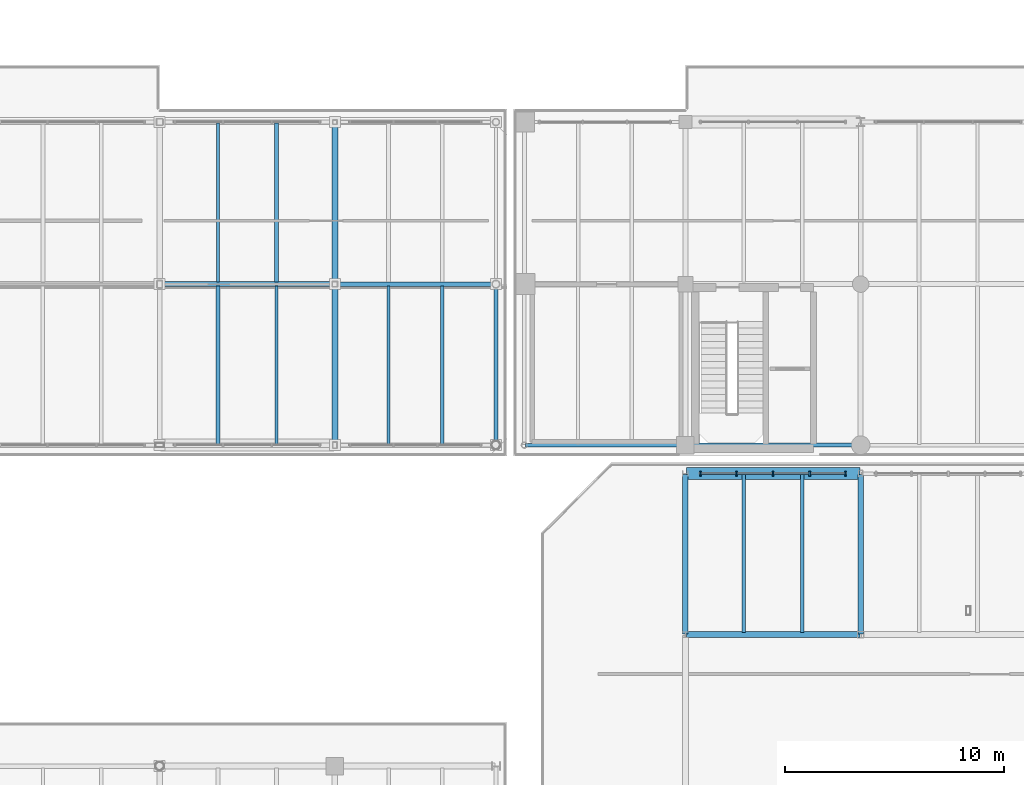
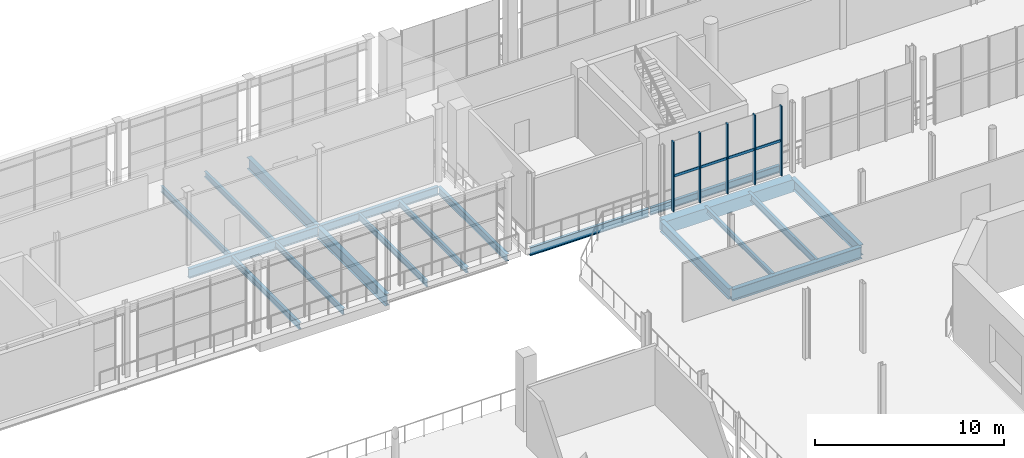
# One storey, part 45 of 93: 19 beams, 9 members, 1 element without a shape of its own.
"""IFC4 building model written with IfcOpenShell, lengths in metres."""

from ifc_helpers import new_model, si_unit, direction, frame, origin, origin_2d, place, context, subcontext, project, spatial, rectangle, i_section, extrude, material, material_profile, profile_set, type_object, element, aggregate, save


model = new_model("IFC4")

# Units and contexts
model_context = context("Model", 3, precision=1e-05, world=origin(), true_north=direction((0.0, 1.0)))
body_context = subcontext(model_context, "Body", "Model", "MODEL_VIEW")
ifc_project = project(units=[si_unit("LENGTHUNIT", "METRE"), si_unit("AREAUNIT", "SQUARE_METRE"), si_unit("VOLUMEUNIT", "CUBIC_METRE"), si_unit("PLANEANGLEUNIT", "RADIAN"), si_unit("MASSUNIT", "GRAM", prefix="KILO")], contexts=[model_context])

# Site, building, storey
site_placement = place(None, origin())
site = spatial("IfcSite", under=ifc_project, at=site_placement, CompositionType="ELEMENT")
building_placement = place(site_placement, origin())
building = spatial("IfcBuilding", under=site, at=building_placement, Name="Brisemont Oceanarium", CompositionType="ELEMENT")
storey_placement = place(building_placement, frame((0.0, 0.0, 5.39990234375)))
storey = spatial("IfcBuildingStorey", under=building, at=storey_placement, Name="L01", CompositionType="ELEMENT", Elevation=5.39990234375)

# Beams
ifc_material_1 = material(Name="Concrete C40/50", Category="concrete")
ifc_material_profile_1 = material_profile(ifc_material_1, rectangle(XDim=0.550048828125, YDim=0.800048828125, at=origin_2d()), Name="RC-BM-550X800")
ifc_profile_set_1 = profile_set([ifc_material_profile_1], Name="Concrete C40/50")
beam_type_1 = type_object("IfcBeamType", Name="BM-RC550X800", PredefinedType="SPANDREL", material=ifc_profile_set_1)
beam_1_placement = place(storey_placement, frame((64.0400390625, 79.35009765625, -0.739990234375), z_axis=(1.0, 0.0, 0.0), x_axis=(0.0, 1.0, 0.0)))
element("IfcBeam", 1, at=beam_1_placement, inside=storey, type_object=beam_type_1, Name="V1 L01 EW girder", PredefinedType="SPANDREL", context=body_context, shape_type="SweptSolid", body=[
    extrude(rectangle(XDim=0.550048828125, YDim=0.800048828125, at=origin_2d()), origin(), (0.0, 0.0, 1.0), 7.919921875),
])
ifc_material_2 = material(Name="Structural Steel ASTM A992 Gr.50", Category="steel")
ifc_material_profile_2 = material_profile(ifc_material_2, i_section(OverallWidth=0.1650390625, OverallDepth=0.31005859375, WebThickness=0.005859375, FlangeThickness=0.009765625, FilletRadius=0.008056640625, at=origin_2d()), Name="W12X26")
ifc_profile_set_2 = profile_set([ifc_material_profile_2], Name="Structural Steel ASTM A992 Gr.50")
beam_type_2 = type_object("IfcBeamType", Name="BM-W12X26", PredefinedType="JOIST", material=ifc_profile_set_2)
beam_2_placement = place(storey_placement, frame((66.666748046875, 72.090087890625, -0.494873046875), z_axis=(0.0, 1.0, 0.0), x_axis=(-1.0, 0.0, 0.0)))
element("IfcBeam", 2, at=beam_2_placement, inside=storey, type_object=beam_type_2, Name="V1 L01 secondary floor beam", PredefinedType="JOIST", context=body_context, shape_type="SweptSolid", body=[
    extrude(i_section(OverallWidth=0.1650390625, OverallDepth=0.31005859375, WebThickness=0.005859375, FlangeThickness=0.009765625, FilletRadius=0.008056640625, at=origin_2d()), origin(), (0.0, 0.0, 1.0), 7.219970703125),
])
ifc_material_3 = material(Name="Structural Steel ASTM A992 Gr.50", Category="steel")
ifc_material_profile_3 = material_profile(ifc_material_3, i_section(OverallWidth=0.1708984375, OverallDepth=0.35107421875, WebThickness=0.0068359375, FlangeThickness=0.009765625, FilletRadius=0.010009765625, at=origin_2d()), Name="W14X30")
ifc_profile_set_3 = profile_set([ifc_material_profile_3], Name="Structural Steel ASTM A992 Gr.50")
beam_type_3 = type_object("IfcBeamType", Name="BM-W14X30", PredefinedType="JOIST", material=ifc_profile_set_3)
beam_3_placement = place(storey_placement, frame((45.333251953125, 88.090087890625, -0.515380859375), z_axis=(0.0, 1.0, 0.0), x_axis=(-1.0, 0.0, 0.0)))
element("IfcBeam", 3, at=beam_3_placement, inside=storey, type_object=beam_type_3, Name="V7W L01 secondary floor beam", PredefinedType="JOIST", context=body_context, shape_type="SweptSolid", body=[
    extrude(i_section(OverallWidth=0.1708984375, OverallDepth=0.35107421875, WebThickness=0.0068359375, FlangeThickness=0.009765625, FilletRadius=0.010009765625, at=origin_2d()), origin(), (0.0, 0.0, 1.0), 7.27001953125),
])
beam_4_placement = place(storey_placement, frame((52.89990234375, 80.68994140625, -0.515380859375), z_axis=(0.0, 1.0, 0.0), x_axis=(-1.0, 0.0, 0.0)))
element("IfcBeam", 4, at=beam_4_placement, inside=storey, type_object=beam_type_3, Name="V7W L01 secondary floor beam", PredefinedType="JOIST", context=body_context, shape_type="SweptSolid", body=[
    extrude(i_section(OverallWidth=0.1708984375, OverallDepth=0.35107421875, WebThickness=0.0068359375, FlangeThickness=0.009765625, FilletRadius=0.010009765625, at=origin_2d()), origin(), (0.0, 0.0, 1.0), 7.219970703125),
])
ifc_material_4 = material(Name="Structural Steel ASTM A992 Gr.50", Category="steel")
ifc_material_profile_4 = material_profile(ifc_material_4, i_section(OverallWidth=0.139892578125, OverallDepth=0.39892578125, WebThickness=0.00634765625, FlangeThickness=0.0087890625, FilletRadius=0.010009765625, at=origin_2d()), Name="W16X26")
ifc_profile_set_4 = profile_set([ifc_material_profile_4], Name="Structural Steel ASTM A992 Gr.50")
beam_type_4 = type_object("IfcBeamType", Name="BM-W16X26", PredefinedType="JOIST", material=ifc_profile_set_4)
beam_5_placement = place(storey_placement, frame((45.333251953125, 80.68994140625, -0.539306640625), z_axis=(0.0, 1.0, 0.0), x_axis=(-1.0, 0.0, 0.0)))
element("IfcBeam", 5, at=beam_5_placement, inside=storey, type_object=beam_type_4, Name="V7W L01 secondary floor beam", PredefinedType="JOIST", context=body_context, shape_type="SweptSolid", body=[
    extrude(i_section(OverallWidth=0.139892578125, OverallDepth=0.39892578125, WebThickness=0.00634765625, FlangeThickness=0.0087890625, FilletRadius=0.010009765625, at=origin_2d()), origin(), (0.0, 0.0, 1.0), 7.219970703125),
])
beam_6_placement = place(storey_placement, frame((42.666748046875, 88.090087890625, -0.539306640625), z_axis=(0.0, 1.0, 0.0), x_axis=(-1.0, 0.0, 0.0)))
element("IfcBeam", 6, at=beam_6_placement, inside=storey, type_object=beam_type_4, Name="V7W L01 secondary floor beam", PredefinedType="JOIST", context=body_context, shape_type="SweptSolid", body=[
    extrude(i_section(OverallWidth=0.139892578125, OverallDepth=0.39892578125, WebThickness=0.00634765625, FlangeThickness=0.0087890625, FilletRadius=0.010009765625, at=origin_2d()), origin(), (0.0, 0.0, 1.0), 7.27001953125),
])
beam_7_placement = place(storey_placement, frame((50.449951171875, 80.68994140625, -0.539306640625), z_axis=(0.0, 1.0, 0.0), x_axis=(-1.0, 0.0, 0.0)))
element("IfcBeam", 7, at=beam_7_placement, inside=storey, type_object=beam_type_4, Name="V7W L01 secondary floor beam", PredefinedType="JOIST", context=body_context, shape_type="SweptSolid", body=[
    extrude(i_section(OverallWidth=0.139892578125, OverallDepth=0.39892578125, WebThickness=0.00634765625, FlangeThickness=0.0087890625, FilletRadius=0.010009765625, at=origin_2d()), origin(), (0.0, 0.0, 1.0), 7.219970703125),
])
ifc_material_5 = material(Name="Structural Steel ASTM A992 Gr.50", Category="steel")
ifc_material_profile_5 = material_profile(ifc_material_5, i_section(OverallWidth=0.177978515625, OverallDepth=0.404052734375, WebThickness=0.007568359375, FlangeThickness=0.010986328125, FilletRadius=0.010009765625, at=origin_2d()), Name="W16X36")
ifc_profile_set_5 = profile_set([ifc_material_profile_5], Name="Structural Steel ASTM A992 Gr.50")
beam_type_5 = type_object("IfcBeamType", Name="BM-W16X36", PredefinedType="JOIST", material=ifc_profile_set_5)
beam_8_placement = place(storey_placement, frame((42.666748046875, 80.68994140625, -0.5419921875), z_axis=(0.0, 1.0, 0.0), x_axis=(-1.0, 0.0, 0.0)))
element("IfcBeam", 8, at=beam_8_placement, inside=storey, type_object=beam_type_5, Name="V7W L01 secondary floor beam", PredefinedType="JOIST", context=body_context, shape_type="SweptSolid", body=[
    extrude(i_section(OverallWidth=0.177978515625, OverallDepth=0.404052734375, WebThickness=0.007568359375, FlangeThickness=0.010986328125, FilletRadius=0.010009765625, at=origin_2d()), origin(), (0.0, 0.0, 1.0), 7.219970703125),
])
ifc_material_6 = material(Name="Structural Steel ASTM A992 Gr.50", Category="steel")
ifc_material_profile_6 = material_profile(ifc_material_6, i_section(OverallWidth=0.153076171875, OverallDepth=0.455078125, WebThickness=0.008056640625, FlangeThickness=0.01318359375, FilletRadius=0.010986328125, at=origin_2d()), Name="W18X40")
ifc_profile_set_6 = profile_set([ifc_material_profile_6], Name="Structural Steel ASTM A992 Gr.50")
beam_type_6 = type_object("IfcBeamType", Name="BM-W18X40", PredefinedType="JOIST", material=ifc_profile_set_6)
beam_9_placement = place(storey_placement, frame((69.333251953125, 72.090087890625, -0.5673828125), z_axis=(0.0, 1.0, 0.0), x_axis=(-1.0, 0.0, 0.0)))
element("IfcBeam", 9, at=beam_9_placement, inside=storey, type_object=beam_type_6, Name="V1 L01 secondary floor beam", PredefinedType="JOIST", context=body_context, shape_type="SweptSolid", body=[
    extrude(i_section(OverallWidth=0.153076171875, OverallDepth=0.455078125, WebThickness=0.008056640625, FlangeThickness=0.01318359375, FilletRadius=0.010986328125, at=origin_2d()), origin(), (0.0, 0.0, 1.0), 7.219970703125),
])
ifc_material_7 = material(Name="Structural Steel ASTM A992 Gr.50", Category="steel")
ifc_material_profile_7 = material_profile(ifc_material_7, i_section(OverallWidth=0.19091796875, OverallDepth=0.4599609375, WebThickness=0.010009765625, FlangeThickness=0.01611328125, FilletRadius=0.010986328125, at=origin_2d()), Name="W18X55")
ifc_profile_set_7 = profile_set([ifc_material_profile_7], Name="Structural Steel ASTM A992 Gr.50")
beam_type_7 = type_object("IfcBeamType", Name="BM-W18X55", PredefinedType="SPANDREL", material=ifc_profile_set_7)
beam_10_placement = place(storey_placement, frame((55.35009765625, 80.68994140625, -0.56982421875), z_axis=(0.0, 1.0, 0.0), x_axis=(-1.0, 0.0, 0.0)))
element("IfcBeam", 10, at=beam_10_placement, inside=storey, type_object=beam_type_7, Name="V7W L01 NS girder", PredefinedType="SPANDREL", context=body_context, shape_type="SweptSolid", body=[
    extrude(i_section(OverallWidth=0.19091796875, OverallDepth=0.4599609375, WebThickness=0.010009765625, FlangeThickness=0.01611328125, FilletRadius=0.010986328125, at=origin_2d()), origin(), (0.0, 0.0, 1.0), 7.27001953125),
])
beam_11_placement = place(storey_placement, frame((64.0400390625, 80.64990234375, -0.56982421875), z_axis=(1.0, 0.0, 0.0), x_axis=(0.0, 1.0, 0.0)))
element("IfcBeam", 11, at=beam_11_placement, inside=storey, type_object=beam_type_7, Name="V7E L01 EW girder", PredefinedType="SPANDREL", context=body_context, shape_type="SweptSolid", body=[
    extrude(i_section(OverallWidth=0.19091796875, OverallDepth=0.4599609375, WebThickness=0.010009765625, FlangeThickness=0.01611328125, FilletRadius=0.010986328125, at=origin_2d()), origin(), (0.0, 0.0, 1.0), 7.919921875),
])
ifc_material_8 = material(Name="Structural Steel ASTM A992 Gr.50", Category="steel")
ifc_material_profile_8 = material_profile(ifc_material_8, i_section(OverallWidth=0.166015625, OverallDepth=0.528076171875, WebThickness=0.009765625, FlangeThickness=0.013671875, FilletRadius=0.012939453125, at=origin_2d()), Name="W21X50")
ifc_profile_set_8 = profile_set([ifc_material_profile_8], Name="Structural Steel ASTM A992 Gr.50")
beam_type_8 = type_object("IfcBeamType", Name="BM-W21X50", PredefinedType="SPANDREL", material=ifc_profile_set_8)
beam_12_placement = place(storey_placement, frame((56.68994140625, 80.64990234375, -0.60400390625), z_axis=(1.0, 0.0, 0.0), x_axis=(0.0, 1.0, 0.0)))
element("IfcBeam", 12, at=beam_12_placement, inside=storey, type_object=beam_type_8, Name="V7E L01 EW girder", PredefinedType="SPANDREL", context=body_context, shape_type="SweptSolid", body=[
    extrude(i_section(OverallWidth=0.166015625, OverallDepth=0.528076171875, WebThickness=0.009765625, FlangeThickness=0.013671875, FilletRadius=0.012939453125, at=origin_2d()), origin(), (0.0, 0.0, 1.0), 7.27001953125),
])
ifc_material_9 = material(Name="Structural Steel ASTM A992 Gr.50", Category="steel")
ifc_material_profile_9 = material_profile(ifc_material_9, i_section(OverallWidth=0.2099609375, OverallDepth=0.532958984375, WebThickness=0.01025390625, FlangeThickness=0.015625, FilletRadius=0.012939453125, at=origin_2d()), Name="W21X62")
ifc_profile_set_9 = profile_set([ifc_material_profile_9], Name="Structural Steel ASTM A992 Gr.50")
beam_type_9 = type_object("IfcBeamType", Name="BM-W21X62", PredefinedType="BEAM", material=ifc_profile_set_9)
beam_13_placement = place(storey_placement, frame((48.0400390625, 88.0, -0.6064453125), z_axis=(1.0, 0.0, 0.0), x_axis=(0.0, 1.0, 0.0)))
element("IfcBeam", 13, at=beam_13_placement, inside=storey, type_object=beam_type_9, Name="V7W L01 EW girder", PredefinedType="BEAM", context=body_context, shape_type="SweptSolid", body=[
    extrude(i_section(OverallWidth=0.2099609375, OverallDepth=0.532958984375, WebThickness=0.01025390625, FlangeThickness=0.015625, FilletRadius=0.012939453125, at=origin_2d()), origin(), (0.0, 0.0, 1.0), 7.27001953125),
])
ifc_material_10 = material(Name="Structural Steel ASTM A992 Gr.50", Category="steel")
ifc_material_profile_10 = material_profile(ifc_material_10, i_section(OverallWidth=0.22802734375, OverallDepth=0.60205078125, WebThickness=0.010498046875, FlangeThickness=0.014892578125, FilletRadius=0.012939453125, at=origin_2d()), Name="W24X68")
ifc_profile_set_10 = profile_set([ifc_material_profile_10], Name="Structural Steel ASTM A992 Gr.50")
beam_type_10 = type_object("IfcBeamType", Name="BM-W24X68", PredefinedType="BEAM", material=ifc_profile_set_10)
beam_14_placement = place(storey_placement, frame((40.0400390625, 88.0, -0.640869140625), z_axis=(1.0, 0.0, 0.0), x_axis=(0.0, 1.0, 0.0)))
element("IfcBeam", 14, at=beam_14_placement, inside=storey, type_object=beam_type_10, Name="V7W L01 EW girder", PredefinedType="BEAM", context=body_context, shape_type="SweptSolid", body=[
    extrude(i_section(OverallWidth=0.22802734375, OverallDepth=0.60205078125, WebThickness=0.010498046875, FlangeThickness=0.014892578125, FilletRadius=0.012939453125, at=origin_2d()), origin(), (0.0, 0.0, 1.0), 7.919921875),
])
ifc_material_11 = material(Name="Structural Steel ASTM A992 Gr.50", Category="steel")
ifc_material_profile_11 = material_profile(ifc_material_11, i_section(OverallWidth=0.2529296875, OverallDepth=0.677978515625, WebThickness=0.01171875, FlangeThickness=0.016357421875, FilletRadius=0.014892578125, at=origin_2d()), Name="W27X84")
ifc_profile_set_11 = profile_set([ifc_material_profile_11], Name="Structural Steel ASTM A992 Gr.50")
beam_type_11 = type_object("IfcBeamType", Name="BM-W27X84", PredefinedType="BEAM", material=ifc_profile_set_11)
beam_15_placement = place(storey_placement, frame((72.0, 72.0400390625, -0.678955078125), z_axis=(0.0, 1.0, 0.0), x_axis=(-1.0, 0.0, 0.0)))
element("IfcBeam", 15, at=beam_15_placement, inside=storey, type_object=beam_type_11, Name="V1 L01 NS girder", PredefinedType="BEAM", context=body_context, shape_type="SweptSolid", body=[
    extrude(i_section(OverallWidth=0.2529296875, OverallDepth=0.677978515625, WebThickness=0.01171875, FlangeThickness=0.016357421875, FilletRadius=0.014892578125, at=origin_2d()), origin(), (0.0, 0.0, 1.0), 7.27001953125),
])
ifc_material_12 = material(Name="Structural Steel ASTM A992 Gr.50", Category="steel")
ifc_material_profile_12 = material_profile(ifc_material_12, i_section(OverallWidth=0.25390625, OverallDepth=0.68310546875, WebThickness=0.012451171875, FlangeThickness=0.018798828125, FilletRadius=0.014892578125, at=origin_2d()), Name="W27X94")
ifc_profile_set_12 = profile_set([ifc_material_profile_12], Name="Structural Steel ASTM A992 Gr.50")
beam_type_12 = type_object("IfcBeamType", Name="BM-W27X94", PredefinedType="BEAM", material=ifc_profile_set_12)
beam_16_placement = place(storey_placement, frame((64.0, 72.0400390625, -0.681396484375), z_axis=(0.0, 1.0, 0.0), x_axis=(-1.0, 0.0, 0.0)))
element("IfcBeam", 16, at=beam_16_placement, inside=storey, type_object=beam_type_12, Name="V1 L01 NS girder", PredefinedType="BEAM", context=body_context, shape_type="SweptSolid", body=[
    extrude(i_section(OverallWidth=0.25390625, OverallDepth=0.68310546875, WebThickness=0.012451171875, FlangeThickness=0.018798828125, FilletRadius=0.014892578125, at=origin_2d()), origin(), (0.0, 0.0, 1.0), 7.27001953125),
])
ifc_material_13 = material(Name="Structural Steel ASTM A992 Gr.50", Category="steel")
ifc_material_profile_13 = material_profile(ifc_material_13, i_section(OverallWidth=0.26708984375, OverallDepth=0.761962890625, WebThickness=0.014404296875, FlangeThickness=0.021484375, FilletRadius=0.01611328125, at=origin_2d()), Name="W30X116")
ifc_profile_set_13 = profile_set([ifc_material_profile_13], Name="Structural Steel ASTM A992 Gr.50")
beam_type_13 = type_object("IfcBeamType", Name="BM-W30X116", PredefinedType="BEAM", material=ifc_profile_set_13)
beam_17_placement = place(storey_placement, frame((64.0400390625, 72.0, -0.720947265625), z_axis=(1.0, 0.0, 0.0), x_axis=(0.0, 1.0, 0.0)))
element("IfcBeam", 17, at=beam_17_placement, inside=storey, type_object=beam_type_13, Name="V1 L01 EW girder", PredefinedType="BEAM", context=body_context, shape_type="SweptSolid", body=[
    extrude(i_section(OverallWidth=0.26708984375, OverallDepth=0.761962890625, WebThickness=0.014404296875, FlangeThickness=0.021484375, FilletRadius=0.01611328125, at=origin_2d()), origin(), (0.0, 0.0, 1.0), 7.919921875),
])
beam_18_placement = place(storey_placement, frame((48.0, 80.68994140625, -0.720947265625), z_axis=(0.0, 1.0, 0.0), x_axis=(-1.0, 0.0, 0.0)))
element("IfcBeam", 18, at=beam_18_placement, inside=storey, type_object=beam_type_13, Name="V7W L01 NS girder", PredefinedType="BEAM", context=body_context, shape_type="SweptSolid", body=[
    extrude(i_section(OverallWidth=0.26708984375, OverallDepth=0.761962890625, WebThickness=0.014404296875, FlangeThickness=0.021484375, FilletRadius=0.01611328125, at=origin_2d()), origin(), (0.0, 0.0, 1.0), 7.27001953125),
])
ifc_material_14 = material(Name="Structural Steel ASTM A992 Gr.50", Category="steel")
ifc_material_profile_14 = material_profile(ifc_material_14, i_section(OverallWidth=0.264892578125, OverallDepth=0.7529296875, WebThickness=0.01318359375, FlangeThickness=0.01708984375, FilletRadius=0.01611328125, at=origin_2d()), Name="W30X99")
ifc_profile_set_14 = profile_set([ifc_material_profile_14], Name="Structural Steel ASTM A992 Gr.50")
beam_type_14 = type_object("IfcBeamType", Name="BM-W30X99", PredefinedType="BEAM", material=ifc_profile_set_14)
beam_19_placement = place(storey_placement, frame((48.0, 88.0400390625, -0.71630859375), z_axis=(0.0, 1.0, 0.0), x_axis=(-1.0, 0.0, 0.0)))
element("IfcBeam", 19, at=beam_19_placement, inside=storey, type_object=beam_type_14, Name="V7W L01 NS girder", PredefinedType="BEAM", context=body_context, shape_type="SweptSolid", body=[
    extrude(i_section(OverallWidth=0.264892578125, OverallDepth=0.7529296875, WebThickness=0.01318359375, FlangeThickness=0.01708984375, FilletRadius=0.01611328125, at=origin_2d()), origin(), (0.0, 0.0, 1.0), 7.320068359375),
])

# Curtain wall, members
ifc_material_15 = material(Name="Anodized Extruded Aluminum 6063-T6", Category="aluminium")
curtain_wall_type = type_object("IfcCurtainWallType", Name="CW-ROT-69X44", PredefinedType="NOTDEFINED", material=ifc_material_15)
curtain_wall_placement = place(storey_placement, origin())
curtain_wall = element("IfcCurtainWall", 20, at=curtain_wall_placement, inside=storey, type_object=curtain_wall_type, Name="CW-03 curtain wall CW-V1-N-L01-01", PredefinedType="NOTDEFINED")
ifc_material_16 = material(Name="Anodized Extruded Aluminum 6063-T6", Category="aluminium")
ifc_material_profile_15 = material_profile(ifc_material_16, rectangle(XDim=0.074951171875, YDim=0.219970703125, at=origin_2d()), Name="CWM-75X220")
ifc_profile_set_15 = profile_set([ifc_material_profile_15], Name="Anodized Extruded Aluminum 6063-T6")
member_type_1 = type_object("IfcMemberType", Name="MEM-CWM-75", PredefinedType="MULLION", material=ifc_profile_set_15)
member_1_placement = place(storey_placement, frame((64.695068359375, 79.35009765625, 0.0), z_axis=(0.0, 0.0, 1.0), x_axis=(1.0, 0.0, 0.0)))
member_1 = element("IfcMember", 21, at=member_1_placement, type_object=member_type_1, Name="CW-V1-N-L01-01 mullion 1", PredefinedType="MULLION", context=body_context, shape_type="SweptSolid", body=[
    extrude(rectangle(XDim=0.074951171875, YDim=0.219970703125, at=origin_2d()), origin(), (0.0, 0.0, 1.0), 4.5),
])
member_2_placement = place(storey_placement, frame((66.324951171875, 79.35009765625, 0.0), z_axis=(0.0, 0.0, 1.0), x_axis=(1.0, 0.0, 0.0)))
member_2 = element("IfcMember", 22, at=member_2_placement, type_object=member_type_1, Name="CW-V1-N-L01-01 mullion 2", PredefinedType="MULLION", context=body_context, shape_type="SweptSolid", body=[
    extrude(rectangle(XDim=0.074951171875, YDim=0.219970703125, at=origin_2d()), origin(), (0.0, 0.0, 1.0), 4.5),
])
member_3_placement = place(storey_placement, frame((68.0, 79.35009765625, 0.0), z_axis=(0.0, 0.0, 1.0), x_axis=(1.0, 0.0, 0.0)))
member_3 = element("IfcMember", 23, at=member_3_placement, type_object=member_type_1, Name="CW-V1-N-L01-01 mullion 3", PredefinedType="MULLION", context=body_context, shape_type="SweptSolid", body=[
    extrude(rectangle(XDim=0.074951171875, YDim=0.219970703125, at=origin_2d()), origin(), (0.0, 0.0, 1.0), 4.5),
])
member_4_placement = place(storey_placement, frame((69.675048828125, 79.35009765625, 0.0), z_axis=(0.0, 0.0, 1.0), x_axis=(1.0, 0.0, 0.0)))
member_4 = element("IfcMember", 24, at=member_4_placement, type_object=member_type_1, Name="CW-V1-N-L01-01 mullion 4", PredefinedType="MULLION", context=body_context, shape_type="SweptSolid", body=[
    extrude(rectangle(XDim=0.074951171875, YDim=0.219970703125, at=origin_2d()), origin(), (0.0, 0.0, 1.0), 4.5),
])
member_5_placement = place(storey_placement, frame((71.304931640625, 79.35009765625, 0.0), z_axis=(0.0, 0.0, 1.0), x_axis=(1.0, 0.0, 0.0)))
member_5 = element("IfcMember", 25, at=member_5_placement, type_object=member_type_1, Name="CW-V1-N-L01-01 mullion 5", PredefinedType="MULLION", context=body_context, shape_type="SweptSolid", body=[
    extrude(rectangle(XDim=0.074951171875, YDim=0.219970703125, at=origin_2d()), origin(), (0.0, 0.0, 1.0), 4.5),
])
ifc_material_17 = material(Name="Anodized Extruded Aluminum 6063-T6", Category="aluminium")
ifc_material_profile_16 = material_profile(ifc_material_17, rectangle(XDim=0.074951171875, YDim=0.1650390625, at=origin_2d()), Name="CWT-75X165")
ifc_profile_set_16 = profile_set([ifc_material_profile_16], Name="Anodized Extruded Aluminum 6063-T6")
member_type_2 = type_object("IfcMemberType", Name="MEM-CWT-75", PredefinedType="USERDEFINED", material=ifc_profile_set_16)
member_6_placement = place(storey_placement, frame((64.6650390625, 79.35009765625, 2.25), z_axis=(1.0, 0.0, 0.0), x_axis=(0.0, 1.0, 0.0)))
member_6 = element("IfcMember", 26, at=member_6_placement, type_object=member_type_2, Name="CW-V1-N-L01-01 transom 1.1", ObjectType="TRANSOM", PredefinedType="USERDEFINED", context=body_context, shape_type="SweptSolid", body=[
    extrude(rectangle(XDim=0.074951171875, YDim=0.1650390625, at=origin_2d()), origin(), (0.0, 0.0, 1.0), 1.64501953125),
])
member_7_placement = place(storey_placement, frame((66.340087890625, 79.35009765625, 2.25), z_axis=(1.0, 0.0, 0.0), x_axis=(0.0, 1.0, 0.0)))
member_7 = element("IfcMember", 27, at=member_7_placement, type_object=member_type_2, Name="CW-V1-N-L01-01 transom 2.1", ObjectType="TRANSOM", PredefinedType="USERDEFINED", context=body_context, shape_type="SweptSolid", body=[
    extrude(rectangle(XDim=0.074951171875, YDim=0.1650390625, at=origin_2d()), origin(), (0.0, 0.0, 1.0), 1.64501953125),
])
member_8_placement = place(storey_placement, frame((68.014892578125, 79.35009765625, 2.25), z_axis=(1.0, 0.0, 0.0), x_axis=(0.0, 1.0, 0.0)))
member_8 = element("IfcMember", 28, at=member_8_placement, type_object=member_type_2, Name="CW-V1-N-L01-01 transom 3.1", ObjectType="TRANSOM", PredefinedType="USERDEFINED", context=body_context, shape_type="SweptSolid", body=[
    extrude(rectangle(XDim=0.074951171875, YDim=0.1650390625, at=origin_2d()), origin(), (0.0, 0.0, 1.0), 1.64501953125),
])
member_9_placement = place(storey_placement, frame((69.68994140625, 79.35009765625, 2.25), z_axis=(1.0, 0.0, 0.0), x_axis=(0.0, 1.0, 0.0)))
member_9 = element("IfcMember", 29, at=member_9_placement, type_object=member_type_2, Name="CW-V1-N-L01-01 transom 4.1", ObjectType="TRANSOM", PredefinedType="USERDEFINED", context=body_context, shape_type="SweptSolid", body=[
    extrude(rectangle(XDim=0.074951171875, YDim=0.1650390625, at=origin_2d()), origin(), (0.0, 0.0, 1.0), 1.64501953125),
])
aggregate(curtain_wall, [member_1, member_2, member_3, member_4, member_5, member_6, member_7, member_8, member_9])

save(model, "model.ifc")
